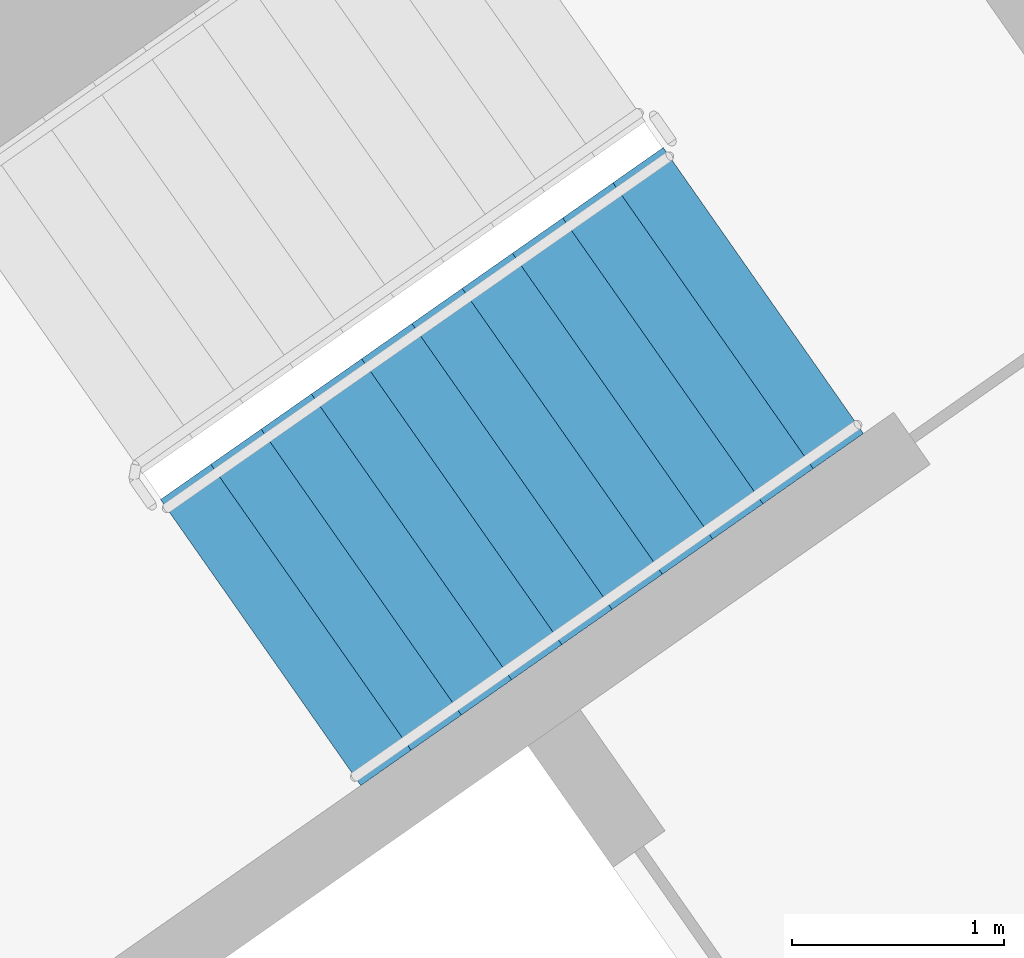
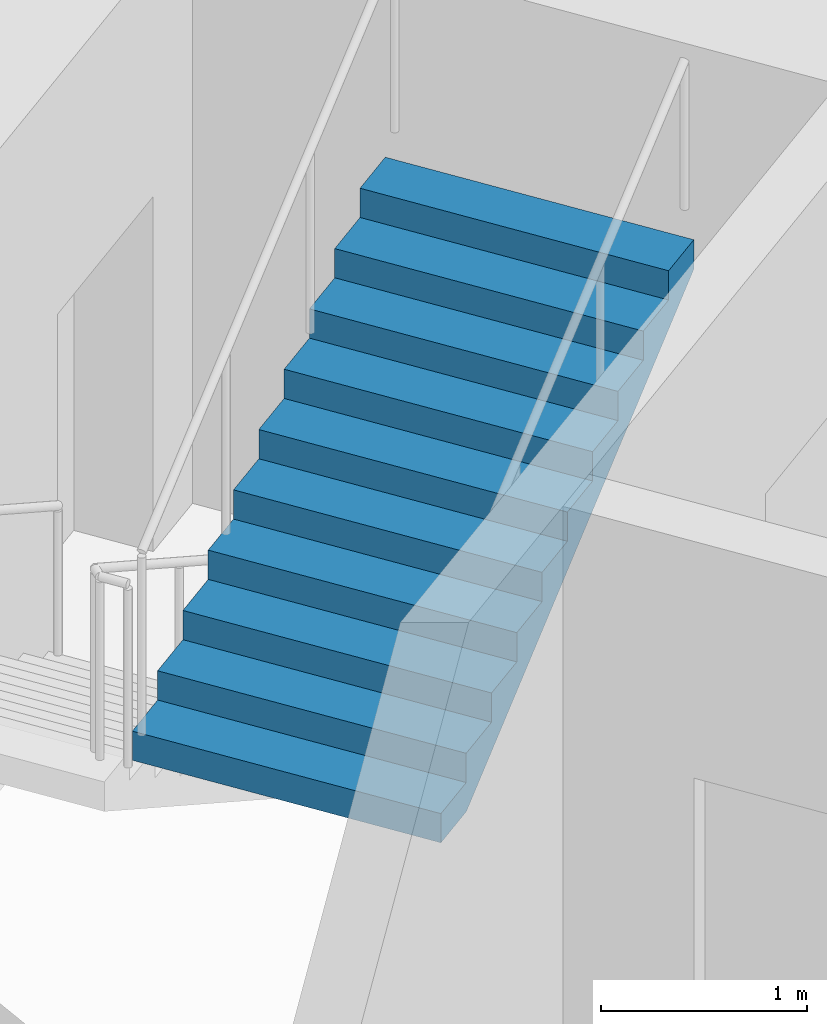
# One storey, part 14 of 30: 1 stair flight, 1 element without a shape of its own.
"""IFC4 building model written with IfcOpenShell, lengths in metres."""

from ifc_helpers import new_model, si_unit, direction, frame, origin, place, context, subcontext, project, spatial, faceted_brep, material, type_object, element, aggregate, save


model = new_model("IFC4")

# Units and contexts
model_context = context("Model", 3, precision=1e-05, world=origin(), true_north=direction((0.0, 1.0)))
body_context = subcontext(model_context, "Body", "Model", "MODEL_VIEW")
ifc_project = project(units=[si_unit("LENGTHUNIT", "METRE"), si_unit("AREAUNIT", "SQUARE_METRE"), si_unit("VOLUMEUNIT", "CUBIC_METRE"), si_unit("PLANEANGLEUNIT", "RADIAN"), si_unit("MASSUNIT", "GRAM", prefix="KILO")], contexts=[model_context])

# Site, building, storey
site_placement = place(None, origin())
site = spatial("IfcSite", under=ifc_project, at=site_placement, CompositionType="ELEMENT")
building_placement = place(site_placement, origin())
building = spatial("IfcBuilding", under=site, at=building_placement, Name="Qamariyya Broadcast Tower", CompositionType="ELEMENT")
storey_placement = place(building_placement, frame((0.0, 0.0, 117.699951171875)))
storey = spatial("IfcBuildingStorey", under=building, at=storey_placement, Name="L26", CompositionType="ELEMENT", Elevation=117.699951171875)

# Stair, stair flight
ifc_material = material(Name="Concrete C50/60", Category="concrete")
stair_type = type_object("IfcStairType", Name="Exit stair 22 risers of 173 mm", PredefinedType="HALF_TURN_STAIR", material=ifc_material)
stair_placement = place(storey_placement, origin())
stair = element("IfcStair", 1, at=stair_placement, inside=storey, type_object=stair_type, Name="L26 Stair E2", PredefinedType="HALF_TURN_STAIR")
stair_flight_type = type_object("IfcStairFlightType", Name="Exit stair flight 11 risers of 173 mm", PredefinedType="STRAIGHT", material=ifc_material)
stair_flight_placement = place(storey_placement, frame((39.215576171875, -50.822998046875, 1.900146484375), z_axis=(0.0, 0.0, 1.0), x_axis=(0.819152044289, 0.573576436351, 0.0)))
stair_flight = element("IfcStairFlight", 2, at=stair_flight_placement, type_object=stair_flight_type, Name="ST-E2 flight 2", NumberOfRisers=11, NumberOfTreads=10, PredefinedType="STRAIGHT", RiserHeight=0.172727273, TreadLength=0.29, context=body_context, shape_type="Brep", body=[
    faceted_brep([(0.0, 0.824951171875, 0.0), (0.0, 0.824951171875, 0.172607421875), (0.2900390625, 0.824951171875, 0.172607421875), (0.2900390625, 0.824951171875, 0.345458984375), (0.580078125, 0.824951171875, 0.345458984375), (0.580078125, 0.824951171875, 0.51806640625), (0.8701171875, 0.824951171875, 0.51806640625), (0.8701171875, 0.824951171875, 0.69091796875), (1.159912109375, 0.824951171875, 0.69091796875), (1.159912109375, 0.824951171875, 0.863525390625), (1.449951171875, 0.824951171875, 0.863525390625), (1.449951171875, 0.824951171875, 1.036376953125), (1.739990234375, 0.824951171875, 1.036376953125), (1.739990234375, 0.824951171875, 1.208984375), (2.030029296875, 0.824951171875, 1.208984375), (2.030029296875, 0.824951171875, 1.3818359375), (2.320068359375, 0.824951171875, 1.3818359375), (2.320068359375, 0.824951171875, 1.554443359375), (2.610107421875, 0.824951171875, 1.554443359375), (2.610107421875, 0.824951171875, 1.727294921875), (2.89990234375, 0.824951171875, 1.727294921875), (2.89990234375, 0.824951171875, 1.552734375), (0.29296875, 0.824951171875, 0.0), (0.29296875, -0.824951171875, 0.0), (2.89990234375, -0.824951171875, 1.552734375), (2.89990234375, -0.824951171875, 1.727294921875), (2.610107421875, -0.824951171875, 1.727294921875), (2.610107421875, -0.824951171875, 1.554443359375), (2.320068359375, -0.824951171875, 1.554443359375), (2.320068359375, -0.824951171875, 1.3818359375), (2.030029296875, -0.824951171875, 1.3818359375), (2.030029296875, -0.824951171875, 1.208984375), (1.739990234375, -0.824951171875, 1.208984375), (1.739990234375, -0.824951171875, 1.036376953125), (1.449951171875, -0.824951171875, 1.036376953125), (1.449951171875, -0.824951171875, 0.863525390625), (1.159912109375, -0.824951171875, 0.863525390625), (1.159912109375, -0.824951171875, 0.69091796875), (0.8701171875, -0.824951171875, 0.69091796875), (0.8701171875, -0.824951171875, 0.51806640625), (0.580078125, -0.824951171875, 0.51806640625), (0.580078125, -0.824951171875, 0.345458984375), (0.2900390625, -0.824951171875, 0.345458984375), (0.2900390625, -0.824951171875, 0.172607421875), (0.0, -0.824951171875, 0.172607421875), (0.0, -0.824951171875, 0.0), (0.0, 0.10009765625, 0.0), (0.0, 0.086669921875, 0.0), (0.0, 0.0732421875, 0.0), (0.0, 0.06005859375, 0.0), (0.0, 0.046630859375, 0.0), (0.0, 0.033447265625, 0.0), (0.0, 0.02001953125, 0.0), (0.0, 0.006591796875, 0.0), (0.0, -0.006591796875, 0.0), (0.0, -0.02001953125, 0.0), (0.0, -0.033447265625, 0.0), (0.0, -0.046630859375, 0.0), (0.0, -0.06005859375, 0.0), (0.0, -0.0732421875, 0.0), (0.0, -0.086669921875, 0.0), (0.0, -0.10009765625, 0.0), (0.0, -0.10009765625, 0.172607421875), (0.0, -0.086669921875, 0.172607421875), (0.0, -0.0732421875, 0.172607421875), (0.0, -0.06005859375, 0.172607421875), (0.0, -0.046630859375, 0.172607421875), (0.0, -0.033447265625, 0.172607421875), (0.0, -0.02001953125, 0.172607421875), (0.0, -0.006591796875, 0.172607421875), (0.0, 0.006591796875, 0.172607421875), (0.0, 0.02001953125, 0.172607421875), (0.0, 0.033447265625, 0.172607421875), (0.0, 0.046630859375, 0.172607421875), (0.0, 0.06005859375, 0.172607421875), (0.0, 0.0732421875, 0.172607421875), (0.0, 0.086669921875, 0.172607421875), (0.0, 0.10009765625, 0.172607421875), (0.2900390625, -0.10009765625, 0.172607421875), (0.2900390625, -0.086669921875, 0.172607421875), (0.2900390625, -0.0732421875, 0.172607421875), (0.2900390625, -0.06005859375, 0.172607421875), (0.2900390625, -0.046630859375, 0.172607421875), (0.2900390625, -0.033447265625, 0.172607421875), (0.2900390625, -0.02001953125, 0.172607421875), (0.2900390625, -0.006591796875, 0.172607421875), (0.2900390625, 0.006591796875, 0.172607421875), (0.2900390625, 0.02001953125, 0.172607421875), (0.2900390625, 0.033447265625, 0.172607421875), (0.2900390625, 0.046630859375, 0.172607421875), (0.2900390625, 0.06005859375, 0.172607421875), (0.2900390625, 0.0732421875, 0.172607421875), (0.2900390625, 0.086669921875, 0.172607421875), (0.2900390625, 0.10009765625, 0.172607421875), (0.2900390625, -0.10009765625, 0.345458984375), (0.2900390625, -0.086669921875, 0.345458984375), (0.2900390625, -0.0732421875, 0.345458984375), (0.2900390625, -0.06005859375, 0.345458984375), (0.2900390625, -0.046630859375, 0.345458984375), (0.2900390625, -0.033447265625, 0.345458984375), (0.2900390625, -0.02001953125, 0.345458984375), (0.2900390625, -0.006591796875, 0.345458984375), (0.2900390625, 0.006591796875, 0.345458984375), (0.2900390625, 0.02001953125, 0.345458984375), (0.2900390625, 0.033447265625, 0.345458984375), (0.2900390625, 0.046630859375, 0.345458984375), (0.2900390625, 0.06005859375, 0.345458984375), (0.2900390625, 0.0732421875, 0.345458984375), (0.2900390625, 0.086669921875, 0.345458984375), (0.2900390625, 0.10009765625, 0.345458984375), (0.580078125, -0.10009765625, 0.345458984375), (0.580078125, -0.086669921875, 0.345458984375), (0.580078125, -0.0732421875, 0.345458984375), (0.580078125, -0.06005859375, 0.345458984375), (0.580078125, -0.046630859375, 0.345458984375), (0.580078125, -0.033447265625, 0.345458984375), (0.580078125, -0.02001953125, 0.345458984375), (0.580078125, -0.006591796875, 0.345458984375), (0.580078125, 0.006591796875, 0.345458984375), (0.580078125, 0.02001953125, 0.345458984375), (0.580078125, 0.033447265625, 0.345458984375), (0.580078125, 0.046630859375, 0.345458984375), (0.580078125, 0.06005859375, 0.345458984375), (0.580078125, 0.0732421875, 0.345458984375), (0.580078125, 0.086669921875, 0.345458984375), (0.580078125, 0.10009765625, 0.345458984375), (0.580078125, -0.10009765625, 0.51806640625), (0.580078125, -0.086669921875, 0.51806640625), (0.580078125, -0.0732421875, 0.51806640625), (0.580078125, -0.06005859375, 0.51806640625), (0.580078125, -0.046630859375, 0.51806640625), (0.580078125, -0.033447265625, 0.51806640625), (0.580078125, -0.02001953125, 0.51806640625), (0.580078125, -0.006591796875, 0.51806640625), (0.580078125, 0.006591796875, 0.51806640625), (0.580078125, 0.02001953125, 0.51806640625), (0.580078125, 0.033447265625, 0.51806640625), (0.580078125, 0.046630859375, 0.51806640625), (0.580078125, 0.06005859375, 0.51806640625), (0.580078125, 0.0732421875, 0.51806640625), (0.580078125, 0.086669921875, 0.51806640625), (0.580078125, 0.10009765625, 0.51806640625), (0.8701171875, -0.10009765625, 0.51806640625), (0.8701171875, -0.086669921875, 0.51806640625), (0.8701171875, -0.0732421875, 0.51806640625), (0.8701171875, -0.06005859375, 0.51806640625), (0.8701171875, -0.046630859375, 0.51806640625), (0.8701171875, -0.033447265625, 0.51806640625), (0.8701171875, -0.02001953125, 0.51806640625), (0.8701171875, -0.006591796875, 0.51806640625), (0.8701171875, 0.006591796875, 0.51806640625), (0.8701171875, 0.02001953125, 0.51806640625), (0.8701171875, 0.033447265625, 0.51806640625), (0.8701171875, 0.046630859375, 0.51806640625), (0.8701171875, 0.06005859375, 0.51806640625), (0.8701171875, 0.0732421875, 0.51806640625), (0.8701171875, 0.086669921875, 0.51806640625), (0.8701171875, 0.10009765625, 0.51806640625), (0.8701171875, -0.10009765625, 0.69091796875), (0.8701171875, -0.086669921875, 0.69091796875), (0.8701171875, -0.0732421875, 0.69091796875), (0.8701171875, -0.06005859375, 0.69091796875), (0.8701171875, -0.046630859375, 0.69091796875), (0.8701171875, -0.033447265625, 0.69091796875), (0.8701171875, -0.02001953125, 0.69091796875), (0.8701171875, -0.006591796875, 0.69091796875), (0.8701171875, 0.006591796875, 0.69091796875), (0.8701171875, 0.02001953125, 0.69091796875), (0.8701171875, 0.033447265625, 0.69091796875), (0.8701171875, 0.046630859375, 0.69091796875), (0.8701171875, 0.06005859375, 0.69091796875), (0.8701171875, 0.0732421875, 0.69091796875), (0.8701171875, 0.086669921875, 0.69091796875), (0.8701171875, 0.10009765625, 0.69091796875), (1.159912109375, -0.10009765625, 0.69091796875), (1.159912109375, -0.086669921875, 0.69091796875), (1.159912109375, -0.0732421875, 0.69091796875), (1.159912109375, -0.06005859375, 0.69091796875), (1.159912109375, -0.046630859375, 0.69091796875), (1.159912109375, -0.033447265625, 0.69091796875), (1.159912109375, -0.02001953125, 0.69091796875), (1.159912109375, -0.006591796875, 0.69091796875), (1.159912109375, 0.006591796875, 0.69091796875), (1.159912109375, 0.02001953125, 0.69091796875), (1.159912109375, 0.033447265625, 0.69091796875), (1.159912109375, 0.046630859375, 0.69091796875), (1.159912109375, 0.06005859375, 0.69091796875), (1.159912109375, 0.0732421875, 0.69091796875), (1.159912109375, 0.086669921875, 0.69091796875), (1.159912109375, 0.10009765625, 0.69091796875), (1.159912109375, -0.10009765625, 0.863525390625), (1.159912109375, -0.086669921875, 0.863525390625), (1.159912109375, -0.0732421875, 0.863525390625), (1.159912109375, -0.06005859375, 0.863525390625), (1.159912109375, -0.046630859375, 0.863525390625), (1.159912109375, -0.033447265625, 0.863525390625), (1.159912109375, -0.02001953125, 0.863525390625), (1.159912109375, -0.006591796875, 0.863525390625), (1.159912109375, 0.006591796875, 0.863525390625), (1.159912109375, 0.02001953125, 0.863525390625), (1.159912109375, 0.033447265625, 0.863525390625), (1.159912109375, 0.046630859375, 0.863525390625), (1.159912109375, 0.06005859375, 0.863525390625), (1.159912109375, 0.0732421875, 0.863525390625), (1.159912109375, 0.086669921875, 0.863525390625), (1.159912109375, 0.10009765625, 0.863525390625), (1.449951171875, -0.10009765625, 0.863525390625), (1.449951171875, -0.086669921875, 0.863525390625), (1.449951171875, -0.0732421875, 0.863525390625), (1.449951171875, -0.06005859375, 0.863525390625), (1.449951171875, -0.046630859375, 0.863525390625), (1.449951171875, -0.033447265625, 0.863525390625), (1.449951171875, -0.02001953125, 0.863525390625), (1.449951171875, -0.006591796875, 0.863525390625), (1.449951171875, 0.006591796875, 0.863525390625), (1.449951171875, 0.02001953125, 0.863525390625), (1.449951171875, 0.033447265625, 0.863525390625), (1.449951171875, 0.046630859375, 0.863525390625), (1.449951171875, 0.06005859375, 0.863525390625), (1.449951171875, 0.0732421875, 0.863525390625), (1.449951171875, 0.086669921875, 0.863525390625), (1.449951171875, 0.10009765625, 0.863525390625), (1.449951171875, -0.10009765625, 1.036376953125), (1.449951171875, -0.086669921875, 1.036376953125), (1.449951171875, -0.0732421875, 1.036376953125), (1.449951171875, -0.06005859375, 1.036376953125), (1.449951171875, -0.046630859375, 1.036376953125), (1.449951171875, -0.033447265625, 1.036376953125), (1.449951171875, -0.02001953125, 1.036376953125), (1.449951171875, -0.006591796875, 1.036376953125), (1.449951171875, 0.006591796875, 1.036376953125), (1.449951171875, 0.02001953125, 1.036376953125), (1.449951171875, 0.033447265625, 1.036376953125), (1.449951171875, 0.046630859375, 1.036376953125), (1.449951171875, 0.06005859375, 1.036376953125), (1.449951171875, 0.0732421875, 1.036376953125), (1.449951171875, 0.086669921875, 1.036376953125), (1.449951171875, 0.10009765625, 1.036376953125), (1.739990234375, -0.10009765625, 1.036376953125), (1.739990234375, -0.086669921875, 1.036376953125), (1.739990234375, -0.0732421875, 1.036376953125), (1.739990234375, -0.06005859375, 1.036376953125), (1.739990234375, -0.046630859375, 1.036376953125), (1.739990234375, -0.033447265625, 1.036376953125), (1.739990234375, -0.02001953125, 1.036376953125), (1.739990234375, -0.006591796875, 1.036376953125), (1.739990234375, 0.006591796875, 1.036376953125), (1.739990234375, 0.02001953125, 1.036376953125), (1.739990234375, 0.033447265625, 1.036376953125), (1.739990234375, 0.046630859375, 1.036376953125), (1.739990234375, 0.06005859375, 1.036376953125), (1.739990234375, 0.0732421875, 1.036376953125), (1.739990234375, 0.086669921875, 1.036376953125), (1.739990234375, 0.10009765625, 1.036376953125), (1.739990234375, -0.10009765625, 1.208984375), (1.739990234375, -0.086669921875, 1.208984375), (1.739990234375, -0.0732421875, 1.208984375), (1.739990234375, -0.06005859375, 1.208984375), (1.739990234375, -0.046630859375, 1.208984375), (1.739990234375, -0.033447265625, 1.208984375), (1.739990234375, -0.02001953125, 1.208984375), (1.739990234375, -0.006591796875, 1.208984375), (1.739990234375, 0.006591796875, 1.208984375), (1.739990234375, 0.02001953125, 1.208984375), (1.739990234375, 0.033447265625, 1.208984375), (1.739990234375, 0.046630859375, 1.208984375), (1.739990234375, 0.06005859375, 1.208984375), (1.739990234375, 0.0732421875, 1.208984375), (1.739990234375, 0.086669921875, 1.208984375), (1.739990234375, 0.10009765625, 1.208984375), (2.030029296875, -0.10009765625, 1.208984375), (2.030029296875, -0.086669921875, 1.208984375), (2.030029296875, -0.0732421875, 1.208984375), (2.030029296875, -0.06005859375, 1.208984375), (2.030029296875, -0.046630859375, 1.208984375), (2.030029296875, -0.033447265625, 1.208984375), (2.030029296875, -0.02001953125, 1.208984375), (2.030029296875, -0.006591796875, 1.208984375), (2.030029296875, 0.006591796875, 1.208984375), (2.030029296875, 0.02001953125, 1.208984375), (2.030029296875, 0.033447265625, 1.208984375), (2.030029296875, 0.046630859375, 1.208984375), (2.030029296875, 0.06005859375, 1.208984375), (2.030029296875, 0.0732421875, 1.208984375), (2.030029296875, 0.086669921875, 1.208984375), (2.030029296875, 0.10009765625, 1.208984375), (2.030029296875, -0.10009765625, 1.3818359375), (2.030029296875, -0.086669921875, 1.3818359375), (2.030029296875, -0.0732421875, 1.3818359375), (2.030029296875, -0.06005859375, 1.3818359375), (2.030029296875, -0.046630859375, 1.3818359375), (2.030029296875, -0.033447265625, 1.3818359375), (2.030029296875, -0.02001953125, 1.3818359375), (2.030029296875, -0.006591796875, 1.3818359375), (2.030029296875, 0.006591796875, 1.3818359375), (2.030029296875, 0.02001953125, 1.3818359375), (2.030029296875, 0.033447265625, 1.3818359375), (2.030029296875, 0.046630859375, 1.3818359375), (2.030029296875, 0.06005859375, 1.3818359375), (2.030029296875, 0.0732421875, 1.3818359375), (2.030029296875, 0.086669921875, 1.3818359375), (2.030029296875, 0.10009765625, 1.3818359375), (2.320068359375, -0.10009765625, 1.3818359375), (2.320068359375, -0.086669921875, 1.3818359375), (2.320068359375, -0.0732421875, 1.3818359375), (2.320068359375, -0.06005859375, 1.3818359375), (2.320068359375, -0.046630859375, 1.3818359375), (2.320068359375, -0.033447265625, 1.3818359375), (2.320068359375, -0.02001953125, 1.3818359375), (2.320068359375, -0.006591796875, 1.3818359375), (2.320068359375, 0.006591796875, 1.3818359375), (2.320068359375, 0.02001953125, 1.3818359375), (2.320068359375, 0.033447265625, 1.3818359375), (2.320068359375, 0.046630859375, 1.3818359375), (2.320068359375, 0.06005859375, 1.3818359375), (2.320068359375, 0.0732421875, 1.3818359375), (2.320068359375, 0.086669921875, 1.3818359375), (2.320068359375, 0.10009765625, 1.3818359375), (2.320068359375, -0.10009765625, 1.554443359375), (2.320068359375, -0.086669921875, 1.554443359375), (2.320068359375, -0.0732421875, 1.554443359375), (2.320068359375, -0.06005859375, 1.554443359375), (2.320068359375, -0.046630859375, 1.554443359375), (2.320068359375, -0.033447265625, 1.554443359375), (2.320068359375, -0.02001953125, 1.554443359375), (2.320068359375, -0.006591796875, 1.554443359375), (2.320068359375, 0.006591796875, 1.554443359375), (2.320068359375, 0.02001953125, 1.554443359375), (2.320068359375, 0.033447265625, 1.554443359375), (2.320068359375, 0.046630859375, 1.554443359375), (2.320068359375, 0.06005859375, 1.554443359375), (2.320068359375, 0.0732421875, 1.554443359375), (2.320068359375, 0.086669921875, 1.554443359375), (2.320068359375, 0.10009765625, 1.554443359375), (2.610107421875, -0.10009765625, 1.554443359375), (2.610107421875, -0.086669921875, 1.554443359375), (2.610107421875, -0.0732421875, 1.554443359375), (2.610107421875, -0.06005859375, 1.554443359375), (2.610107421875, -0.046630859375, 1.554443359375), (2.610107421875, -0.033447265625, 1.554443359375), (2.610107421875, -0.02001953125, 1.554443359375), (2.610107421875, -0.006591796875, 1.554443359375), (2.610107421875, 0.006591796875, 1.554443359375), (2.610107421875, 0.02001953125, 1.554443359375), (2.610107421875, 0.033447265625, 1.554443359375), (2.610107421875, 0.046630859375, 1.554443359375), (2.610107421875, 0.06005859375, 1.554443359375), (2.610107421875, 0.0732421875, 1.554443359375), (2.610107421875, 0.086669921875, 1.554443359375), (2.610107421875, 0.10009765625, 1.554443359375), (2.610107421875, -0.10009765625, 1.727294921875), (2.610107421875, -0.086669921875, 1.727294921875), (2.610107421875, -0.0732421875, 1.727294921875), (2.610107421875, -0.06005859375, 1.727294921875), (2.610107421875, -0.046630859375, 1.727294921875), (2.610107421875, -0.033447265625, 1.727294921875), (2.610107421875, -0.02001953125, 1.727294921875), (2.610107421875, -0.006591796875, 1.727294921875), (2.610107421875, 0.006591796875, 1.727294921875), (2.610107421875, 0.02001953125, 1.727294921875), (2.610107421875, 0.033447265625, 1.727294921875), (2.610107421875, 0.046630859375, 1.727294921875), (2.610107421875, 0.06005859375, 1.727294921875), (2.610107421875, 0.0732421875, 1.727294921875), (2.610107421875, 0.086669921875, 1.727294921875), (2.610107421875, 0.10009765625, 1.727294921875), (2.89990234375, -0.10009765625, 1.727294921875), (2.89990234375, -0.086669921875, 1.727294921875), (2.89990234375, -0.0732421875, 1.727294921875), (2.89990234375, -0.06005859375, 1.727294921875), (2.89990234375, -0.046630859375, 1.727294921875), (2.89990234375, -0.033447265625, 1.727294921875), (2.89990234375, -0.02001953125, 1.727294921875), (2.89990234375, -0.006591796875, 1.727294921875), (2.89990234375, 0.006591796875, 1.727294921875), (2.89990234375, 0.02001953125, 1.727294921875), (2.89990234375, 0.033447265625, 1.727294921875), (2.89990234375, 0.046630859375, 1.727294921875), (2.89990234375, 0.06005859375, 1.727294921875), (2.89990234375, 0.0732421875, 1.727294921875), (2.89990234375, 0.086669921875, 1.727294921875), (2.89990234375, 0.10009765625, 1.727294921875), (2.89990234375, -0.10009765625, 1.552734375), (2.89990234375, -0.086669921875, 1.552734375), (2.89990234375, -0.0732421875, 1.552734375), (2.89990234375, -0.06005859375, 1.552734375), (2.89990234375, -0.046630859375, 1.552734375), (2.89990234375, -0.033447265625, 1.552734375), (2.89990234375, -0.02001953125, 1.552734375), (2.89990234375, -0.006591796875, 1.552734375), (2.89990234375, 0.006591796875, 1.552734375), (2.89990234375, 0.02001953125, 1.552734375), (2.89990234375, 0.033447265625, 1.552734375), (2.89990234375, 0.046630859375, 1.552734375), (2.89990234375, 0.06005859375, 1.552734375), (2.89990234375, 0.0732421875, 1.552734375), (2.89990234375, 0.086669921875, 1.552734375), (2.89990234375, 0.10009765625, 1.552734375), (0.29296875, -0.10009765625, 0.0), (0.29296875, -0.086669921875, 0.0), (0.29296875, -0.0732421875, 0.0), (0.29296875, -0.06005859375, 0.0), (0.29296875, -0.046630859375, 0.0), (0.29296875, -0.033447265625, 0.0), (0.29296875, -0.02001953125, 0.0), (0.29296875, -0.006591796875, 0.0), (0.29296875, 0.006591796875, 0.0), (0.29296875, 0.02001953125, 0.0), (0.29296875, 0.033447265625, 0.0), (0.29296875, 0.046630859375, 0.0), (0.29296875, 0.06005859375, 0.0), (0.29296875, 0.0732421875, 0.0), (0.29296875, 0.086669921875, 0.0), (0.29296875, 0.10009765625, 0.0)], [[[0, 1, 2, 3, 4, 5, 6, 7, 8, 9, 10, 11, 12, 13, 14, 15, 16, 17, 18, 19, 20, 21, 22]], [[23, 24, 25, 26, 27, 28, 29, 30, 31, 32, 33, 34, 35, 36, 37, 38, 39, 40, 41, 42, 43, 44, 45]], [[0, 46, 47, 48, 49, 50, 51, 52, 53, 54, 55, 56, 57, 58, 59, 60, 61, 45, 44, 62, 63, 64, 65, 66, 67, 68, 69, 70, 71, 72, 73, 74, 75, 76, 77, 1]], [[1, 77, 76, 75, 74, 73, 72, 71, 70, 69, 68, 67, 66, 65, 64, 63, 62, 44, 43, 78, 79, 80, 81, 82, 83, 84, 85, 86, 87, 88, 89, 90, 91, 92, 93, 2]], [[2, 93, 92, 91, 90, 89, 88, 87, 86, 85, 84, 83, 82, 81, 80, 79, 78, 43, 42, 94, 95, 96, 97, 98, 99, 100, 101, 102, 103, 104, 105, 106, 107, 108, 109, 3]], [[3, 109, 108, 107, 106, 105, 104, 103, 102, 101, 100, 99, 98, 97, 96, 95, 94, 42, 41, 110, 111, 112, 113, 114, 115, 116, 117, 118, 119, 120, 121, 122, 123, 124, 125, 4]], [[4, 125, 124, 123, 122, 121, 120, 119, 118, 117, 116, 115, 114, 113, 112, 111, 110, 41, 40, 126, 127, 128, 129, 130, 131, 132, 133, 134, 135, 136, 137, 138, 139, 140, 141, 5]], [[5, 141, 140, 139, 138, 137, 136, 135, 134, 133, 132, 131, 130, 129, 128, 127, 126, 40, 39, 142, 143, 144, 145, 146, 147, 148, 149, 150, 151, 152, 153, 154, 155, 156, 157, 6]], [[6, 157, 156, 155, 154, 153, 152, 151, 150, 149, 148, 147, 146, 145, 144, 143, 142, 39, 38, 158, 159, 160, 161, 162, 163, 164, 165, 166, 167, 168, 169, 170, 171, 172, 173, 7]], [[7, 173, 172, 171, 170, 169, 168, 167, 166, 165, 164, 163, 162, 161, 160, 159, 158, 38, 37, 174, 175, 176, 177, 178, 179, 180, 181, 182, 183, 184, 185, 186, 187, 188, 189, 8]], [[8, 189, 188, 187, 186, 185, 184, 183, 182, 181, 180, 179, 178, 177, 176, 175, 174, 37, 36, 190, 191, 192, 193, 194, 195, 196, 197, 198, 199, 200, 201, 202, 203, 204, 205, 9]], [[9, 205, 204, 203, 202, 201, 200, 199, 198, 197, 196, 195, 194, 193, 192, 191, 190, 36, 35, 206, 207, 208, 209, 210, 211, 212, 213, 214, 215, 216, 217, 218, 219, 220, 221, 10]], [[10, 221, 220, 219, 218, 217, 216, 215, 214, 213, 212, 211, 210, 209, 208, 207, 206, 35, 34, 222, 223, 224, 225, 226, 227, 228, 229, 230, 231, 232, 233, 234, 235, 236, 237, 11]], [[11, 237, 236, 235, 234, 233, 232, 231, 230, 229, 228, 227, 226, 225, 224, 223, 222, 34, 33, 238, 239, 240, 241, 242, 243, 244, 245, 246, 247, 248, 249, 250, 251, 252, 253, 12]], [[12, 253, 252, 251, 250, 249, 248, 247, 246, 245, 244, 243, 242, 241, 240, 239, 238, 33, 32, 254, 255, 256, 257, 258, 259, 260, 261, 262, 263, 264, 265, 266, 267, 268, 269, 13]], [[13, 269, 268, 267, 266, 265, 264, 263, 262, 261, 260, 259, 258, 257, 256, 255, 254, 32, 31, 270, 271, 272, 273, 274, 275, 276, 277, 278, 279, 280, 281, 282, 283, 284, 285, 14]], [[14, 285, 284, 283, 282, 281, 280, 279, 278, 277, 276, 275, 274, 273, 272, 271, 270, 31, 30, 286, 287, 288, 289, 290, 291, 292, 293, 294, 295, 296, 297, 298, 299, 300, 301, 15]], [[15, 301, 300, 299, 298, 297, 296, 295, 294, 293, 292, 291, 290, 289, 288, 287, 286, 30, 29, 302, 303, 304, 305, 306, 307, 308, 309, 310, 311, 312, 313, 314, 315, 316, 317, 16]], [[16, 317, 316, 315, 314, 313, 312, 311, 310, 309, 308, 307, 306, 305, 304, 303, 302, 29, 28, 318, 319, 320, 321, 322, 323, 324, 325, 326, 327, 328, 329, 330, 331, 332, 333, 17]], [[17, 333, 332, 331, 330, 329, 328, 327, 326, 325, 324, 323, 322, 321, 320, 319, 318, 28, 27, 334, 335, 336, 337, 338, 339, 340, 341, 342, 343, 344, 345, 346, 347, 348, 349, 18]], [[18, 349, 348, 347, 346, 345, 344, 343, 342, 341, 340, 339, 338, 337, 336, 335, 334, 27, 26, 350, 351, 352, 353, 354, 355, 356, 357, 358, 359, 360, 361, 362, 363, 364, 365, 19]], [[19, 365, 364, 363, 362, 361, 360, 359, 358, 357, 356, 355, 354, 353, 352, 351, 350, 26, 25, 366, 367, 368, 369, 370, 371, 372, 373, 374, 375, 376, 377, 378, 379, 380, 381, 20]], [[20, 381, 380, 379, 378, 377, 376, 375, 374, 373, 372, 371, 370, 369, 368, 367, 366, 25, 24, 382, 383, 384, 385, 386, 387, 388, 389, 390, 391, 392, 393, 394, 395, 396, 397, 21]], [[21, 397, 396, 395, 394, 393, 392, 391, 390, 389, 388, 387, 386, 385, 384, 383, 382, 24, 23, 398, 399, 400, 401, 402, 403, 404, 405, 406, 407, 408, 409, 410, 411, 412, 413, 22]], [[22, 413, 412, 411, 410, 409, 408, 407, 406, 405, 404, 403, 402, 401, 400, 399, 398, 23, 45, 61, 60, 59, 58, 57, 56, 55, 54, 53, 52, 51, 50, 49, 48, 47, 46, 0]]]),
])
aggregate(stair, [stair_flight])

save(model, "model.ifc")
